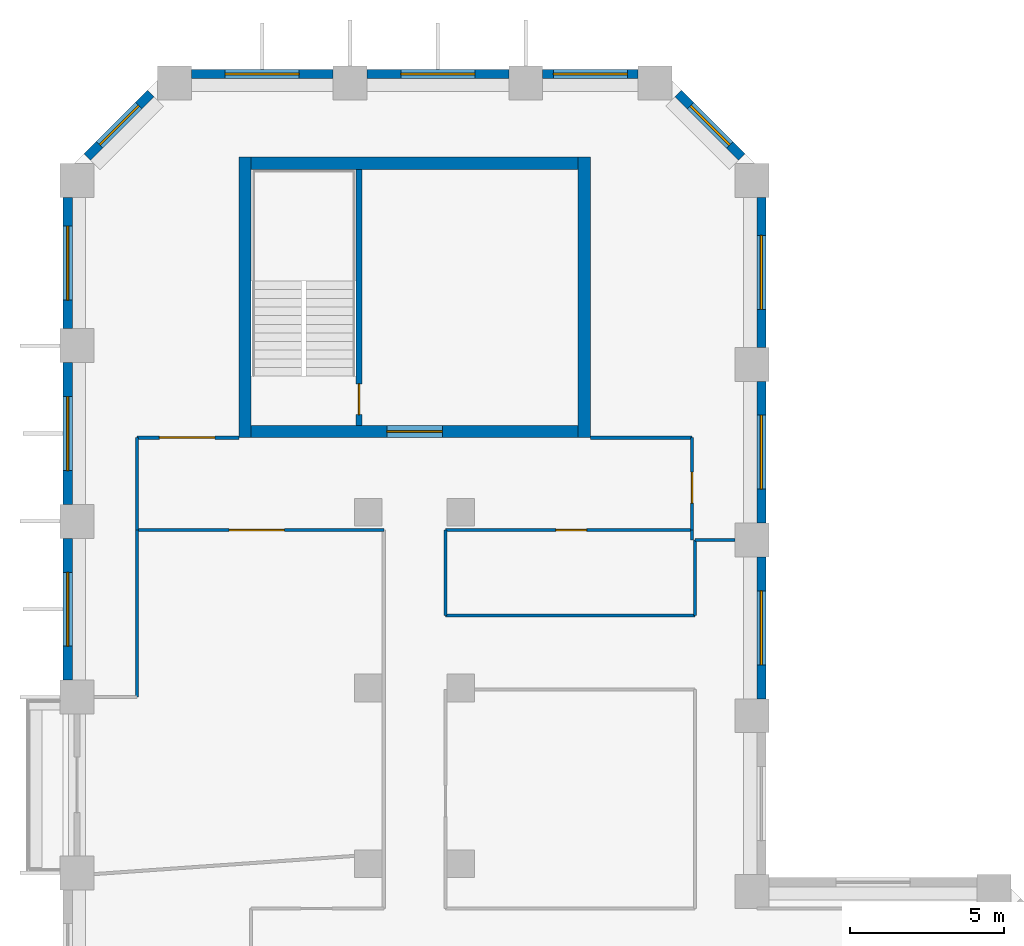
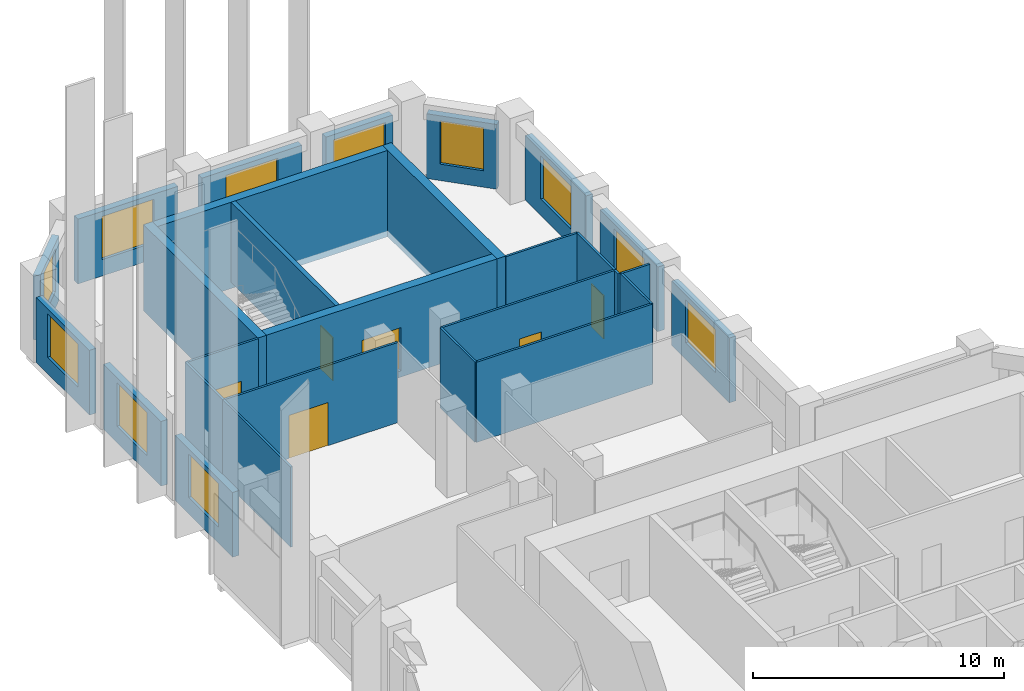
# One storey, part 8 of 10: 28 walls, 11 windows, 6 doors, 17 openings.
"""IFC4 building model written with IfcOpenShell, lengths in metres."""

from ifc_helpers import new_model, si_unit, direction, frame, frame_2d, origin, place, context, subcontext, project, spatial, rectangle, extrude, material, layer, layer_set, type_object, element, fill, save


model = new_model("IFC4")

# Units and contexts
model_context = context("Model", 3, precision=1e-05, world=origin(), true_north=direction((0.0, 1.0)))
body_context = subcontext(model_context, "Body", "Model", "MODEL_VIEW")
ifc_project = project(units=[si_unit("LENGTHUNIT", "METRE"), si_unit("AREAUNIT", "SQUARE_METRE"), si_unit("VOLUMEUNIT", "CUBIC_METRE"), si_unit("PLANEANGLEUNIT", "RADIAN"), si_unit("MASSUNIT", "GRAM", prefix="KILO")], contexts=[model_context])

# Site, building, storey
site_placement = place(None, origin())
site = spatial("IfcSite", under=ifc_project, at=site_placement, CompositionType="ELEMENT")
building_placement = place(site_placement, origin())
building = spatial("IfcBuilding", under=site, at=building_placement, Name="Meshkara Civic Tower", CompositionType="ELEMENT")
storey_placement = place(building_placement, frame((0.0, 0.0, 242.39990234375)))
storey = spatial("IfcBuildingStorey", under=building, at=storey_placement, Name="L55", CompositionType="ELEMENT", Elevation=242.39990234375)

# Wall, opening, door
ifc_material_1 = material(Name="Corridor wall 100")
ifc_layer_1 = layer(ifc_material_1, 0.10009765625)
ifc_layer_set_1 = layer_set([ifc_layer_1], Name="Corridor wall 100")
wall_type_1 = type_object("IfcWallType", Name="Corridor wall 100", PredefinedType="PARTITIONING", material=ifc_layer_set_1)
wall_1_placement = place(storey_placement, frame((2.39990234375, 51.169921875, 0.0), z_axis=(0.0, 0.0, 1.0), x_axis=(1.0, 0.0, 0.0)))
wall_1 = element("IfcWall", 1, at=wall_1_placement, inside=storey, type_object=wall_type_1, Name="L55-W001", PredefinedType="PARTITIONING", context=body_context, shape_type="SweptSolid", body=[
    extrude(rectangle(XDim=8.0, YDim=0.10009765625, at=frame_2d((4.0, 0.0))), origin(), (0.0, 0.0, 1.0), 3.900146484375),
])
opening_1_placement = place(wall_1_placement, frame((2.97998046875, 0.0, 0.0)))
opening_1 = element("IfcOpeningElement", 2, at=opening_1_placement, cuts=wall_1, Name="Opening L55-D019", PredefinedType="OPENING", context=body_context, shape_type="SweptSolid", body=[
    extrude(rectangle(XDim=1.800048828125, YDim=2.10009765625, at=frame_2d((0.89990234375, 1.050048828125))), frame((0.0, 0.06005859375, 0.0), z_axis=(0.0, -1.0, 0.0), x_axis=(1.0, 0.0, 0.0)), (0.0, 0.0, 1.0), 0.1201171875),
])
ifc_material_2 = material(Name="Door pair 1800 x 2100")
door_type_1 = type_object("IfcDoorType", Name="Door pair 1800 x 2100", OperationType="SINGLE_SWING_LEFT", PredefinedType="DOOR", material=ifc_material_2)
door_1_placement = place(opening_1_placement, origin())
door_1 = element("IfcDoor", 3, at=door_1_placement, inside=storey, type_object=door_type_1, Name="L55-D019", OperationType="DOUBLE_DOOR_SINGLE_SWING", OverallHeight=2.10009765625, OverallWidth=1.800048828125, PredefinedType="DOOR", context=body_context, shape_type="SweptSolid", body=[
    extrude(rectangle(XDim=1.800048828125, YDim=2.10009765625, at=frame_2d((0.89990234375, 1.050048828125))), frame((0.0, 0.02490234375, 0.0), z_axis=(0.0, -1.0, 0.0), x_axis=(1.0, 0.0, 0.0)), (0.0, 0.0, 1.0), 0.050048828125),
])
fill(opening_1, door_1)

# Wall
wall_2_placement = place(storey_placement, frame((2.39990234375, 54.169921875, 0.0), z_axis=(0.0, 0.0, 1.0), x_axis=(0.0, -1.0, 0.0)))
element("IfcWall", 4, at=wall_2_placement, inside=storey, type_object=wall_type_1, Name="L55-W002", PredefinedType="PARTITIONING", context=body_context, shape_type="SweptSolid", body=[
    extrude(rectangle(XDim=3.0, YDim=0.10009765625, at=frame_2d((1.5, 0.0))), origin(), (0.0, 0.0, 1.0), 3.900146484375),
])

# Wall, opening, door
wall_3_placement = place(storey_placement, frame((5.699951171875, 54.169921875, 0.0), z_axis=(0.0, 0.0, 1.0), x_axis=(-1.0, 0.0, 0.0)))
wall_3 = element("IfcWall", 5, at=wall_3_placement, inside=storey, type_object=wall_type_1, Name="L55-W003", PredefinedType="PARTITIONING", context=body_context, shape_type="SweptSolid", body=[
    extrude(rectangle(XDim=3.300048828125, YDim=0.10009765625, at=frame_2d((1.64990234375, 0.0))), origin(), (0.0, 0.0, 1.0), 3.900146484375),
])
opening_2_placement = place(wall_3_placement, frame((0.780029296875, 0.0, 0.0)))
opening_2 = element("IfcOpeningElement", 6, at=opening_2_placement, cuts=wall_3, Name="Opening L55-D022", PredefinedType="OPENING", context=body_context, shape_type="SweptSolid", body=[
    extrude(rectangle(XDim=1.800048828125, YDim=2.10009765625, at=frame_2d((0.89990234375, 1.050048828125))), frame((0.0, 0.06005859375, 0.0), z_axis=(0.0, -1.0, 0.0), x_axis=(1.0, 0.0, 0.0)), (0.0, 0.0, 1.0), 0.1201171875),
])
door_2_placement = place(opening_2_placement, origin())
door_2 = element("IfcDoor", 7, at=door_2_placement, inside=storey, type_object=door_type_1, Name="L55-D022", OperationType="DOUBLE_DOOR_SINGLE_SWING", OverallHeight=2.10009765625, OverallWidth=1.800048828125, PredefinedType="DOOR", context=body_context, shape_type="SweptSolid", body=[
    extrude(rectangle(XDim=1.800048828125, YDim=2.10009765625, at=frame_2d((0.89990234375, 1.050048828125))), frame((0.0, 0.02490234375, 0.0), z_axis=(0.0, -1.0, 0.0), x_axis=(1.0, 0.0, 0.0)), (0.0, 0.0, 1.0), 0.050048828125),
])
fill(opening_2, door_2)

# Wall
wall_4_placement = place(storey_placement, frame((12.39990234375, 48.39990234375, 0.0), z_axis=(0.0, 0.0, 1.0), x_axis=(0.0, 1.0, 0.0)))
element("IfcWall", 8, at=wall_4_placement, inside=storey, type_object=wall_type_1, Name="L55-W014", PredefinedType="PARTITIONING", context=body_context, shape_type="SweptSolid", body=[
    extrude(rectangle(XDim=2.77001953125, YDim=0.10009765625, at=frame_2d((1.385009765625, 0.0))), origin(), (0.0, 0.0, 1.0), 3.900146484375),
])

# Wall, opening, door
wall_5_placement = place(storey_placement, frame((12.39990234375, 51.169921875, 0.0), z_axis=(0.0, 0.0, 1.0), x_axis=(1.0, 0.0, 0.0)))
wall_5 = element("IfcWall", 9, at=wall_5_placement, inside=storey, type_object=wall_type_1, Name="L55-W015", PredefinedType="PARTITIONING", context=body_context, shape_type="SweptSolid", body=[
    extrude(rectangle(XDim=8.0, YDim=0.10009765625, at=frame_2d((4.0, 0.0))), origin(), (0.0, 0.0, 1.0), 3.900146484375),
])
opening_3_placement = place(wall_5_placement, frame((3.580078125, 0.0, 0.0)))
opening_3 = element("IfcOpeningElement", 10, at=opening_3_placement, cuts=wall_5, Name="Opening L55-D020", PredefinedType="OPENING", context=body_context, shape_type="SweptSolid", body=[
    extrude(rectangle(XDim=1.0, YDim=2.10009765625, at=frame_2d((0.5, 1.050048828125))), frame((0.0, 0.06005859375, 0.0), z_axis=(0.0, -1.0, 0.0), x_axis=(1.0, 0.0, 0.0)), (0.0, 0.0, 1.0), 0.1201171875),
])
ifc_material_3 = material(Name="Door 1000 x 2100")
door_type_2 = type_object("IfcDoorType", Name="Door 1000 x 2100", OperationType="SINGLE_SWING_LEFT", PredefinedType="DOOR", material=ifc_material_3)
door_3_placement = place(opening_3_placement, origin())
door_3 = element("IfcDoor", 11, at=door_3_placement, inside=storey, type_object=door_type_2, Name="L55-D020", OperationType="SINGLE_SWING_LEFT", OverallHeight=2.10009765625, OverallWidth=1.0, PredefinedType="DOOR", context=body_context, shape_type="SweptSolid", body=[
    extrude(rectangle(XDim=1.0, YDim=2.10009765625, at=frame_2d((0.5, 1.050048828125))), frame((0.0, 0.02490234375, 0.0), z_axis=(0.0, -1.0, 0.0), x_axis=(1.0, 0.0, 0.0)), (0.0, 0.0, 1.0), 0.050048828125),
])
fill(opening_3, door_3)

wall_6_placement = place(storey_placement, frame((20.39990234375, 51.169921875, 0.0), z_axis=(0.0, 0.0, 1.0), x_axis=(0.0, 1.0, 0.0)))
wall_6 = element("IfcWall", 12, at=wall_6_placement, inside=storey, type_object=wall_type_1, Name="L55-W018", PredefinedType="PARTITIONING", context=body_context, shape_type="SweptSolid", body=[
    extrude(rectangle(XDim=3.0, YDim=0.10009765625, at=frame_2d((1.5, 0.0))), origin(), (0.0, 0.0, 1.0), 3.900146484375),
])
opening_4_placement = place(wall_6_placement, frame((0.8798828125, 0.0, 0.0)))
opening_4 = element("IfcOpeningElement", 13, at=opening_4_placement, cuts=wall_6, Name="Opening L55-D021", PredefinedType="OPENING", context=body_context, shape_type="SweptSolid", body=[
    extrude(rectangle(XDim=1.0, YDim=2.10009765625, at=frame_2d((0.5, 1.050048828125))), frame((0.0, 0.06005859375, 0.0), z_axis=(0.0, -1.0, 0.0), x_axis=(1.0, 0.0, 0.0)), (0.0, 0.0, 1.0), 0.1201171875),
])
door_4_placement = place(opening_4_placement, origin())
door_4 = element("IfcDoor", 14, at=door_4_placement, inside=storey, type_object=door_type_2, Name="L55-D021", OperationType="SINGLE_SWING_RIGHT", OverallHeight=2.10009765625, OverallWidth=1.0, PredefinedType="DOOR", context=body_context, shape_type="SweptSolid", body=[
    extrude(rectangle(XDim=1.0, YDim=2.10009765625, at=frame_2d((0.5, 1.050048828125))), frame((0.0, 0.02490234375, 0.0), z_axis=(0.0, -1.0, 0.0), x_axis=(1.0, 0.0, 0.0)), (0.0, 0.0, 1.0), 0.050048828125),
])
fill(opening_4, door_4)

# Walls
wall_7_placement = place(storey_placement, frame((20.39990234375, 54.169921875, 0.0), z_axis=(0.0, 0.0, 1.0), x_axis=(-1.0, 0.0, 0.0)))
element("IfcWall", 15, at=wall_7_placement, inside=storey, type_object=wall_type_1, Name="L55-W019", PredefinedType="PARTITIONING", context=body_context, shape_type="SweptSolid", body=[
    extrude(rectangle(XDim=3.2998046875, YDim=0.10009765625, at=frame_2d((1.64990234375, 0.0))), origin(), (0.0, 0.0, 1.0), 3.900146484375),
])
wall_8_placement = place(storey_placement, frame((20.5, 48.39990234375, 0.0), z_axis=(0.0, 0.0, 1.0), x_axis=(-1.0, 0.0, 0.0)))
element("IfcWall", 16, at=wall_8_placement, inside=storey, type_object=wall_type_1, Name="L55-W022", PredefinedType="PARTITIONING", context=body_context, shape_type="SweptSolid", body=[
    extrude(rectangle(XDim=8.10009765625, YDim=0.10009765625, at=frame_2d((4.050048828125, 0.0))), origin(), (0.0, 0.0, 1.0), 3.900146484375),
])
wall_9_placement = place(storey_placement, frame((20.5, 50.85009765625, 0.0), z_axis=(0.0, 0.0, 1.0), x_axis=(0.0, -1.0, 0.0)))
element("IfcWall", 17, at=wall_9_placement, inside=storey, type_object=wall_type_1, Name="L55-W023", PredefinedType="PARTITIONING", context=body_context, shape_type="SweptSolid", body=[
    extrude(rectangle(XDim=2.4501953125, YDim=0.10009765625, at=frame_2d((1.22509765625, 0.0))), origin(), (0.0, 0.0, 1.0), 3.900146484375),
])
wall_10_placement = place(storey_placement, frame((21.800048828125, 50.85009765625, 0.0), z_axis=(0.0, 0.0, 1.0), x_axis=(-1.0, 0.0, 0.0)))
element("IfcWall", 18, at=wall_10_placement, inside=storey, type_object=wall_type_1, Name="L55-W024", PredefinedType="PARTITIONING", context=body_context, shape_type="SweptSolid", body=[
    extrude(rectangle(XDim=1.300048828125, YDim=0.10009765625, at=frame_2d((0.64990234375, 0.0))), origin(), (0.0, 0.0, 1.0), 3.900146484375),
])

# Wall, opening, window
ifc_material_4 = material(Name="Insulated infill panel with bronze anodised aluminium cladding", Category="aluminium")
ifc_layer_2 = layer(ifc_material_4, 0.300048828125)
ifc_layer_set_2 = layer_set([ifc_layer_2], Name="EXTERNAL INFILL WALL 300")
wall_type_2 = type_object("IfcWallType", Name="EXTERNAL INFILL WALL 300", PredefinedType="SOLIDWALL", material=ifc_layer_set_2)
wall_11_placement = place(storey_placement, frame((22.64990234375, 45.699951171875, 0.0), z_axis=(0.0, 0.0, 1.0), x_axis=(0.0, 1.0, 0.0)))
wall_11 = element("IfcWall", 19, at=wall_11_placement, inside=storey, type_object=wall_type_2, Name="External wall", PredefinedType="SOLIDWALL", context=body_context, shape_type="SweptSolid", body=[
    extrude(rectangle(XDim=4.60009765625, YDim=0.300048828125, at=frame_2d((2.300048828125, 0.0))), origin(), (0.0, 0.0, 1.0), 3.150146484375),
])
opening_5_placement = place(wall_11_placement, frame((1.10009765625, 0.0, 0.800048828125)))
opening_5 = element("IfcOpeningElement", 20, at=opening_5_placement, cuts=wall_11, Name="Opening W7", PredefinedType="OPENING", context=body_context, shape_type="SweptSolid", body=[
    extrude(rectangle(XDim=2.39990234375, YDim=2.10009765625, at=frame_2d((1.199951171875, 1.050048828125))), frame((0.0, 0.159912109375, 0.0), z_axis=(0.0, -1.0, 0.0), x_axis=(1.0, 0.0, 0.0)), (0.0, 0.0, 1.0), 0.320068359375),
])
ifc_material_5 = material(Name="Tinted double glazing", Category="glass")
window_type_1 = type_object("IfcWindowType", Name="WINDOW 2400x2100", PartitioningType="DOUBLE_PANEL_VERTICAL", PredefinedType="WINDOW", material=ifc_material_5)
window_1_placement = place(opening_5_placement, origin())
window_1 = element("IfcWindow", 21, at=window_1_placement, inside=storey, type_object=window_type_1, Name="Window", OverallHeight=2.10009765625, OverallWidth=2.39990234375, PartitioningType="DOUBLE_PANEL_VERTICAL", PredefinedType="WINDOW", context=body_context, shape_type="SweptSolid", body=[
    extrude(rectangle(XDim=2.39990234375, YDim=2.10009765625, at=frame_2d((1.199951171875, 1.050048828125))), frame((0.0, 0.030029296875, 0.0), z_axis=(0.0, -1.0, 0.0), x_axis=(1.0, 0.0, 0.0)), (0.0, 0.0, 1.0), 0.06005859375),
])
fill(opening_5, window_1)

wall_12_placement = place(storey_placement, frame((22.64990234375, 51.39990234375, 0.0), z_axis=(0.0, 0.0, 1.0), x_axis=(0.0, 1.0, 0.0)))
wall_12 = element("IfcWall", 22, at=wall_12_placement, inside=storey, type_object=wall_type_2, Name="External wall", PredefinedType="SOLIDWALL", context=body_context, shape_type="SweptSolid", body=[
    extrude(rectangle(XDim=4.60009765625, YDim=0.300048828125, at=frame_2d((2.300048828125, 0.0))), origin(), (0.0, 0.0, 1.0), 3.150146484375),
])
opening_6_placement = place(wall_12_placement, frame((1.10009765625, 0.0, 0.800048828125)))
opening_6 = element("IfcOpeningElement", 23, at=opening_6_placement, cuts=wall_12, Name="Opening W7", PredefinedType="OPENING", context=body_context, shape_type="SweptSolid", body=[
    extrude(rectangle(XDim=2.39990234375, YDim=2.10009765625, at=frame_2d((1.199951171875, 1.050048828125))), frame((0.0, 0.159912109375, 0.0), z_axis=(0.0, -1.0, 0.0), x_axis=(1.0, 0.0, 0.0)), (0.0, 0.0, 1.0), 0.320068359375),
])
window_2_placement = place(opening_6_placement, origin())
window_2 = element("IfcWindow", 24, at=window_2_placement, inside=storey, type_object=window_type_1, Name="Window", OverallHeight=2.10009765625, OverallWidth=2.39990234375, PartitioningType="DOUBLE_PANEL_VERTICAL", PredefinedType="WINDOW", context=body_context, shape_type="SweptSolid", body=[
    extrude(rectangle(XDim=2.39990234375, YDim=2.10009765625, at=frame_2d((1.199951171875, 1.050048828125))), frame((0.0, 0.030029296875, 0.0), z_axis=(0.0, -1.0, 0.0), x_axis=(1.0, 0.0, 0.0)), (0.0, 0.0, 1.0), 0.06005859375),
])
fill(opening_6, window_2)

wall_13_placement = place(storey_placement, frame((22.64990234375, 57.10009765625, 0.0), z_axis=(0.0, 0.0, 1.0), x_axis=(0.0, 1.0, 0.0)))
wall_13 = element("IfcWall", 25, at=wall_13_placement, inside=storey, type_object=wall_type_2, Name="External wall", PredefinedType="SOLIDWALL", context=body_context, shape_type="SweptSolid", body=[
    extrude(rectangle(XDim=4.864013671875, YDim=0.300048828125, at=frame_2d((2.43212890625, 0.0))), origin(), (0.0, 0.0, 1.0), 3.150146484375),
])
opening_7_placement = place(wall_13_placement, frame((1.23193359375, 0.0, 0.800048828125)))
opening_7 = element("IfcOpeningElement", 26, at=opening_7_placement, cuts=wall_13, Name="Opening W7", PredefinedType="OPENING", context=body_context, shape_type="SweptSolid", body=[
    extrude(rectangle(XDim=2.39990234375, YDim=2.10009765625, at=frame_2d((1.199951171875, 1.050048828125))), frame((0.0, 0.159912109375, 0.0), z_axis=(0.0, -1.0, 0.0), x_axis=(1.0, 0.0, 0.0)), (0.0, 0.0, 1.0), 0.320068359375),
])
window_3_placement = place(opening_7_placement, origin())
window_3 = element("IfcWindow", 27, at=window_3_placement, inside=storey, type_object=window_type_1, Name="Window", OverallHeight=2.10009765625, OverallWidth=2.39990234375, PartitioningType="DOUBLE_PANEL_VERTICAL", PredefinedType="WINDOW", context=body_context, shape_type="SweptSolid", body=[
    extrude(rectangle(XDim=2.39990234375, YDim=2.10009765625, at=frame_2d((1.199951171875, 1.050048828125))), frame((0.0, 0.030029296875, 0.0), z_axis=(0.0, -1.0, 0.0), x_axis=(1.0, 0.0, 0.0)), (0.0, 0.0, 1.0), 0.06005859375),
])
fill(opening_7, window_3)

wall_14_placement = place(storey_placement, frame((22.011962890625, 63.27587890625, 0.0), z_axis=(0.0, 0.0, 1.0), x_axis=(-0.707064797706, 0.707148762175, 0.0)))
wall_14 = element("IfcWall", 28, at=wall_14_placement, inside=storey, type_object=wall_type_2, Name="External wall", PredefinedType="SOLIDWALL", context=body_context, shape_type="SweptSolid", body=[
    extrude(rectangle(XDim=2.90771484375, YDim=0.300048828125, at=frame_2d((1.453857421875, 0.0))), origin(), (0.0, 0.0, 1.0), 3.150146484375),
])
opening_8_placement = place(wall_14_placement, frame((0.553955078125, 0.0, 0.800048828125)))
opening_8 = element("IfcOpeningElement", 29, at=opening_8_placement, cuts=wall_14, Name="Opening W9", PredefinedType="OPENING", context=body_context, shape_type="SweptSolid", body=[
    extrude(rectangle(XDim=1.800048828125, YDim=2.10009765625, at=frame_2d((0.89990234375, 1.050048828125))), frame((0.0, 0.159912109375, 0.0), z_axis=(0.0, -1.0, 0.0), x_axis=(1.0, 0.0, 0.0)), (0.0, 0.0, 1.0), 0.320068359375),
])
ifc_material_6 = material(Name="Tinted double glazing", Category="glass")
window_type_2 = type_object("IfcWindowType", Name="WINDOW 1800x2100", PartitioningType="DOUBLE_PANEL_VERTICAL", PredefinedType="WINDOW", material=ifc_material_6)
window_4_placement = place(opening_8_placement, origin())
window_4 = element("IfcWindow", 30, at=window_4_placement, inside=storey, type_object=window_type_2, Name="Window", OverallHeight=2.10009765625, OverallWidth=1.800048828125, PartitioningType="DOUBLE_PANEL_VERTICAL", PredefinedType="WINDOW", context=body_context, shape_type="SweptSolid", body=[
    extrude(rectangle(XDim=1.800048828125, YDim=2.10009765625, at=frame_2d((0.89990234375, 1.050048828125))), frame((0.0, 0.030029296875, 0.0), z_axis=(0.0, -1.0, 0.0), x_axis=(1.0, 0.0, 0.0)), (0.0, 0.0, 1.0), 0.06005859375),
])
fill(opening_8, window_4)

wall_15_placement = place(storey_placement, frame((18.64404296875, 65.969970703125, 0.0), z_axis=(0.0, 0.0, 1.0), x_axis=(-1.0, 0.0, 0.0)))
wall_15 = element("IfcWall", 31, at=wall_15_placement, inside=storey, type_object=wall_type_2, Name="External wall", PredefinedType="SOLIDWALL", context=body_context, shape_type="SweptSolid", body=[
    extrude(rectangle(XDim=3.088134765625, YDim=0.300048828125, at=frame_2d((1.5439453125, 0.0))), origin(), (0.0, 0.0, 1.0), 3.150146484375),
])
opening_9_placement = place(wall_15_placement, frame((0.343994140625, 0.0, 0.800048828125)))
opening_9 = element("IfcOpeningElement", 32, at=opening_9_placement, cuts=wall_15, Name="Opening W7", PredefinedType="OPENING", context=body_context, shape_type="SweptSolid", body=[
    extrude(rectangle(XDim=2.39990234375, YDim=2.10009765625, at=frame_2d((1.199951171875, 1.050048828125))), frame((0.0, 0.159912109375, 0.0), z_axis=(0.0, -1.0, 0.0), x_axis=(1.0, 0.0, 0.0)), (0.0, 0.0, 1.0), 0.320068359375),
])
window_5_placement = place(opening_9_placement, origin())
window_5 = element("IfcWindow", 33, at=window_5_placement, inside=storey, type_object=window_type_1, Name="Window", OverallHeight=2.10009765625, OverallWidth=2.39990234375, PartitioningType="DOUBLE_PANEL_VERTICAL", PredefinedType="WINDOW", context=body_context, shape_type="SweptSolid", body=[
    extrude(rectangle(XDim=2.39990234375, YDim=2.10009765625, at=frame_2d((1.199951171875, 1.050048828125))), frame((0.0, 0.030029296875, 0.0), z_axis=(0.0, -1.0, 0.0), x_axis=(1.0, 0.0, 0.0)), (0.0, 0.0, 1.0), 0.06005859375),
])
fill(opening_9, window_5)

wall_16_placement = place(storey_placement, frame((14.4560546875, 65.969970703125, 0.0), z_axis=(0.0, 0.0, 1.0), x_axis=(-1.0, 0.0, 0.0)))
wall_16 = element("IfcWall", 34, at=wall_16_placement, inside=storey, type_object=wall_type_2, Name="External wall", PredefinedType="SOLIDWALL", context=body_context, shape_type="SweptSolid", body=[
    extrude(rectangle(XDim=4.60009765625, YDim=0.300048828125, at=frame_2d((2.300048828125, 0.0))), origin(), (0.0, 0.0, 1.0), 3.150146484375),
])
opening_10_placement = place(wall_16_placement, frame((1.10009765625, 0.0, 0.800048828125)))
opening_10 = element("IfcOpeningElement", 35, at=opening_10_placement, cuts=wall_16, Name="Opening W7", PredefinedType="OPENING", context=body_context, shape_type="SweptSolid", body=[
    extrude(rectangle(XDim=2.39990234375, YDim=2.10009765625, at=frame_2d((1.199951171875, 1.050048828125))), frame((0.0, 0.159912109375, 0.0), z_axis=(0.0, -1.0, 0.0), x_axis=(1.0, 0.0, 0.0)), (0.0, 0.0, 1.0), 0.320068359375),
])
window_6_placement = place(opening_10_placement, origin())
window_6 = element("IfcWindow", 36, at=window_6_placement, inside=storey, type_object=window_type_1, Name="Window", OverallHeight=2.10009765625, OverallWidth=2.39990234375, PartitioningType="DOUBLE_PANEL_VERTICAL", PredefinedType="WINDOW", context=body_context, shape_type="SweptSolid", body=[
    extrude(rectangle(XDim=2.39990234375, YDim=2.10009765625, at=frame_2d((1.199951171875, 1.050048828125))), frame((0.0, 0.030029296875, 0.0), z_axis=(0.0, -1.0, 0.0), x_axis=(1.0, 0.0, 0.0)), (0.0, 0.0, 1.0), 0.06005859375),
])
fill(opening_10, window_6)

wall_17_placement = place(storey_placement, frame((8.756103515625, 65.969970703125, 0.0), z_axis=(0.0, 0.0, 1.0), x_axis=(-1.0, 0.0, 0.0)))
wall_17 = element("IfcWall", 37, at=wall_17_placement, inside=storey, type_object=wall_type_2, Name="External wall", PredefinedType="SOLIDWALL", context=body_context, shape_type="SweptSolid", body=[
    extrude(rectangle(XDim=4.60009765625, YDim=0.300048828125, at=frame_2d((2.300048828125, 0.0))), origin(), (0.0, 0.0, 1.0), 3.150146484375),
])
opening_11_placement = place(wall_17_placement, frame((1.10009765625, 0.0, 0.800048828125)))
opening_11 = element("IfcOpeningElement", 38, at=opening_11_placement, cuts=wall_17, Name="Opening W7", PredefinedType="OPENING", context=body_context, shape_type="SweptSolid", body=[
    extrude(rectangle(XDim=2.39990234375, YDim=2.10009765625, at=frame_2d((1.199951171875, 1.050048828125))), frame((0.0, 0.159912109375, 0.0), z_axis=(0.0, -1.0, 0.0), x_axis=(1.0, 0.0, 0.0)), (0.0, 0.0, 1.0), 0.320068359375),
])
window_7_placement = place(opening_11_placement, origin())
window_7 = element("IfcWindow", 39, at=window_7_placement, inside=storey, type_object=window_type_1, Name="Window", OverallHeight=2.10009765625, OverallWidth=2.39990234375, PartitioningType="DOUBLE_PANEL_VERTICAL", PredefinedType="WINDOW", context=body_context, shape_type="SweptSolid", body=[
    extrude(rectangle(XDim=2.39990234375, YDim=2.10009765625, at=frame_2d((1.199951171875, 1.050048828125))), frame((0.0, 0.030029296875, 0.0), z_axis=(0.0, -1.0, 0.0), x_axis=(1.0, 0.0, 0.0)), (0.0, 0.0, 1.0), 0.06005859375),
])
fill(opening_11, window_7)

wall_18_placement = place(storey_placement, frame((2.843994140625, 65.33203125, 0.0), z_axis=(0.0, 0.0, 1.0), x_axis=(-0.707064797706, -0.707148762175, 0.0)))
wall_18 = element("IfcWall", 40, at=wall_18_placement, inside=storey, type_object=wall_type_2, Name="External wall", PredefinedType="SOLIDWALL", context=body_context, shape_type="SweptSolid", body=[
    extrude(rectangle(XDim=2.90771484375, YDim=0.300048828125, at=frame_2d((1.453857421875, 0.0))), origin(), (0.0, 0.0, 1.0), 3.150146484375),
])
opening_12_placement = place(wall_18_placement, frame((0.553955078125, 0.0, 0.800048828125)))
opening_12 = element("IfcOpeningElement", 41, at=opening_12_placement, cuts=wall_18, Name="Opening W9", PredefinedType="OPENING", context=body_context, shape_type="SweptSolid", body=[
    extrude(rectangle(XDim=1.800048828125, YDim=2.10009765625, at=frame_2d((0.89990234375, 1.050048828125))), frame((0.0, 0.159912109375, 0.0), z_axis=(0.0, -1.0, 0.0), x_axis=(1.0, 0.0, 0.0)), (0.0, 0.0, 1.0), 0.320068359375),
])
window_8_placement = place(opening_12_placement, origin())
window_8 = element("IfcWindow", 42, at=window_8_placement, inside=storey, type_object=window_type_2, Name="Window", OverallHeight=2.10009765625, OverallWidth=1.800048828125, PartitioningType="DOUBLE_PANEL_VERTICAL", PredefinedType="WINDOW", context=body_context, shape_type="SweptSolid", body=[
    extrude(rectangle(XDim=1.800048828125, YDim=2.10009765625, at=frame_2d((0.89990234375, 1.050048828125))), frame((0.0, 0.030029296875, 0.0), z_axis=(0.0, -1.0, 0.0), x_axis=(1.0, 0.0, 0.0)), (0.0, 0.0, 1.0), 0.06005859375),
])
fill(opening_12, window_8)

wall_19_placement = place(storey_placement, frame((0.14990234375, 61.964111328125, 0.0), z_axis=(0.0, 0.0, 1.0), x_axis=(0.0, -1.0, 0.0)))
wall_19 = element("IfcWall", 43, at=wall_19_placement, inside=storey, type_object=wall_type_2, Name="External wall", PredefinedType="SOLIDWALL", context=body_context, shape_type="SweptSolid", body=[
    extrude(rectangle(XDim=4.259033203125, YDim=0.300048828125, at=frame_2d((2.12939453125, 0.0))), origin(), (0.0, 0.0, 1.0), 3.150146484375),
])
opening_13_placement = place(wall_19_placement, frame((0.929931640625, 0.0, 0.800048828125)))
opening_13 = element("IfcOpeningElement", 44, at=opening_13_placement, cuts=wall_19, Name="Opening W7", PredefinedType="OPENING", context=body_context, shape_type="SweptSolid", body=[
    extrude(rectangle(XDim=2.39990234375, YDim=2.10009765625, at=frame_2d((1.199951171875, 1.050048828125))), frame((0.0, 0.159912109375, 0.0), z_axis=(0.0, -1.0, 0.0), x_axis=(1.0, 0.0, 0.0)), (0.0, 0.0, 1.0), 0.320068359375),
])
window_9_placement = place(opening_13_placement, origin())
window_9 = element("IfcWindow", 45, at=window_9_placement, inside=storey, type_object=window_type_1, Name="Window", OverallHeight=2.10009765625, OverallWidth=2.39990234375, PartitioningType="DOUBLE_PANEL_VERTICAL", PredefinedType="WINDOW", context=body_context, shape_type="SweptSolid", body=[
    extrude(rectangle(XDim=2.39990234375, YDim=2.10009765625, at=frame_2d((1.199951171875, 1.050048828125))), frame((0.0, 0.030029296875, 0.0), z_axis=(0.0, -1.0, 0.0), x_axis=(1.0, 0.0, 0.0)), (0.0, 0.0, 1.0), 0.06005859375),
])
fill(opening_13, window_9)

wall_20_placement = place(storey_placement, frame((0.14990234375, 56.60498046875, 0.0), z_axis=(0.0, 0.0, 1.0), x_axis=(0.0, -1.0, 0.0)))
wall_20 = element("IfcWall", 46, at=wall_20_placement, inside=storey, type_object=wall_type_2, Name="External wall", PredefinedType="SOLIDWALL", context=body_context, shape_type="SweptSolid", body=[
    extrude(rectangle(XDim=4.60009765625, YDim=0.300048828125, at=frame_2d((2.300048828125, 0.0))), origin(), (0.0, 0.0, 1.0), 3.150146484375),
])
opening_14_placement = place(wall_20_placement, frame((1.10009765625, 0.0, 0.800048828125)))
opening_14 = element("IfcOpeningElement", 47, at=opening_14_placement, cuts=wall_20, Name="Opening W7", PredefinedType="OPENING", context=body_context, shape_type="SweptSolid", body=[
    extrude(rectangle(XDim=2.39990234375, YDim=2.10009765625, at=frame_2d((1.199951171875, 1.050048828125))), frame((0.0, 0.159912109375, 0.0), z_axis=(0.0, -1.0, 0.0), x_axis=(1.0, 0.0, 0.0)), (0.0, 0.0, 1.0), 0.320068359375),
])
window_10_placement = place(opening_14_placement, origin())
window_10 = element("IfcWindow", 48, at=window_10_placement, inside=storey, type_object=window_type_1, Name="Window", OverallHeight=2.10009765625, OverallWidth=2.39990234375, PartitioningType="DOUBLE_PANEL_VERTICAL", PredefinedType="WINDOW", context=body_context, shape_type="SweptSolid", body=[
    extrude(rectangle(XDim=2.39990234375, YDim=2.10009765625, at=frame_2d((1.199951171875, 1.050048828125))), frame((0.0, 0.030029296875, 0.0), z_axis=(0.0, -1.0, 0.0), x_axis=(1.0, 0.0, 0.0)), (0.0, 0.0, 1.0), 0.06005859375),
])
fill(opening_14, window_10)

wall_21_placement = place(storey_placement, frame((0.14990234375, 50.905029296875, 0.0), z_axis=(0.0, 0.0, 1.0), x_axis=(0.0, -1.0, 0.0)))
wall_21 = element("IfcWall", 49, at=wall_21_placement, inside=storey, type_object=wall_type_2, Name="External wall", PredefinedType="SOLIDWALL", context=body_context, shape_type="SweptSolid", body=[
    extrude(rectangle(XDim=4.60009765625, YDim=0.300048828125, at=frame_2d((2.300048828125, 0.0))), origin(), (0.0, 0.0, 1.0), 3.150146484375),
])
opening_15_placement = place(wall_21_placement, frame((1.10009765625, 0.0, 0.800048828125)))
opening_15 = element("IfcOpeningElement", 50, at=opening_15_placement, cuts=wall_21, Name="Opening W7", PredefinedType="OPENING", context=body_context, shape_type="SweptSolid", body=[
    extrude(rectangle(XDim=2.39990234375, YDim=2.10009765625, at=frame_2d((1.199951171875, 1.050048828125))), frame((0.0, 0.159912109375, 0.0), z_axis=(0.0, -1.0, 0.0), x_axis=(1.0, 0.0, 0.0)), (0.0, 0.0, 1.0), 0.320068359375),
])
window_11_placement = place(opening_15_placement, origin())
window_11 = element("IfcWindow", 51, at=window_11_placement, inside=storey, type_object=window_type_1, Name="Window", OverallHeight=2.10009765625, OverallWidth=2.39990234375, PartitioningType="DOUBLE_PANEL_VERTICAL", PredefinedType="WINDOW", context=body_context, shape_type="SweptSolid", body=[
    extrude(rectangle(XDim=2.39990234375, YDim=2.10009765625, at=frame_2d((1.199951171875, 1.050048828125))), frame((0.0, 0.030029296875, 0.0), z_axis=(0.0, -1.0, 0.0), x_axis=(1.0, 0.0, 0.0)), (0.0, 0.0, 1.0), 0.06005859375),
])
fill(opening_15, window_11)

# Walls
ifc_material_7 = material(Name="Concrete C60", Category="concrete")
ifc_layer_3 = layer(ifc_material_7, 0.39990234375)
ifc_layer_set_3 = layer_set([ifc_layer_3], Name="End core ring wall 400 C60")
wall_type_3 = type_object("IfcWallType", Name="End core ring wall 400 C60", PredefinedType="SHEAR", material=ifc_layer_set_3)
for number, where, z_axis, x_axis, name in (
    (52, (5.89990234375, 54.169921875, -0.2998046875), (0.0, 0.0, 1.0), (0.0, 1.0, 0.0), "L55-C023"),
    (53, (16.89990234375, 54.169921875, -0.2998046875), (0.0, 0.0, 1.0), (0.0, 1.0, 0.0), "L55-C024"),
):
    element("IfcWall", number, at=place(storey_placement, frame(where, z_axis=z_axis, x_axis=x_axis)), inside=storey, type_object=wall_type_3, Name=name, PredefinedType="SHEAR", context=body_context, shape_type="SweptSolid", body=[
        extrude(rectangle(XDim=9.10009765625, YDim=0.39990234375, at=frame_2d((4.550048828125, 0.0))), origin(), (0.0, 0.0, 1.0), 4.199951171875),
    ])

# Wall, opening, door
wall_22_placement = place(storey_placement, frame((6.10009765625, 54.3701171875, -0.2998046875), z_axis=(0.0, 0.0, 1.0), x_axis=(1.0, 0.0, 0.0)))
wall_22 = element("IfcWall", 54, at=wall_22_placement, inside=storey, type_object=wall_type_3, Name="L55-C025", PredefinedType="SHEAR", context=body_context, shape_type="SweptSolid", body=[
    extrude(rectangle(XDim=10.599853515625, YDim=0.39990234375, at=frame_2d((5.2998046875, 0.0))), origin(), (0.0, 0.0, 1.0), 4.199951171875),
])
opening_16_placement = place(wall_22_placement, frame((4.39990234375, 0.0, 0.300048828125)))
opening_16 = element("IfcOpeningElement", 55, at=opening_16_placement, cuts=wall_22, Name="Opening L55-K102", PredefinedType="OPENING", context=body_context, shape_type="SweptSolid", body=[
    extrude(rectangle(XDim=1.800048828125, YDim=2.10009765625, at=frame_2d((0.89990234375, 1.050048828125))), frame((0.0, 0.2099609375, 0.0), z_axis=(0.0, -1.0, 0.0), x_axis=(1.0, 0.0, 0.0)), (0.0, 0.0, 1.0), 0.419921875),
])
ifc_material_8 = material(Name="Fire-rated door leaf in steel frame", Category="steel")
door_type_3 = type_object("IfcDoorType", Name="Core double door 1800 EI 60", OperationType="DOUBLE_DOOR_SINGLE_SWING", PredefinedType="DOOR", material=ifc_material_8)
door_5_placement = place(opening_16_placement, origin())
door_5 = element("IfcDoor", 56, at=door_5_placement, inside=storey, type_object=door_type_3, Name="L55-K102", OperationType="DOUBLE_DOOR_SINGLE_SWING", OverallHeight=2.10009765625, OverallWidth=1.800048828125, PredefinedType="DOOR", context=body_context, shape_type="SweptSolid", body=[
    extrude(rectangle(XDim=1.800048828125, YDim=2.10009765625, at=frame_2d((0.89990234375, 1.050048828125))), frame((0.0, 0.02490234375, 0.0), z_axis=(0.0, -1.0, 0.0), x_axis=(1.0, 0.0, 0.0)), (0.0, 0.0, 1.0), 0.050048828125),
])
fill(opening_16, door_5)

# Walls
wall_23_placement = place(storey_placement, frame((6.10009765625, 63.070068359375, -0.2998046875), z_axis=(0.0, 0.0, 1.0), x_axis=(1.0, 0.0, 0.0)))
element("IfcWall", 57, at=wall_23_placement, inside=storey, type_object=wall_type_3, Name="L55-C026", PredefinedType="SHEAR", context=body_context, shape_type="SweptSolid", body=[
    extrude(rectangle(XDim=10.599853515625, YDim=0.39990234375, at=frame_2d((5.2998046875, 0.0))), origin(), (0.0, 0.0, 1.0), 4.199951171875),
])
ifc_material_9 = material(Name="Partition 100")
ifc_layer_4 = layer(ifc_material_9, 0.10009765625)
ifc_layer_set_4 = layer_set([ifc_layer_4], Name="Partition 100")
wall_type_4 = type_object("IfcWallType", Name="Partition 100", PredefinedType="PARTITIONING", material=ifc_layer_set_4)
wall_24_placement = place(storey_placement, frame((2.39990234375, 51.174072265625, 0.0), z_axis=(0.0, 0.0, 1.0), x_axis=(0.0, -1.0, 0.0)))
element("IfcWall", 58, at=wall_24_placement, inside=storey, type_object=wall_type_4, Name="L55-W039", PredefinedType="PARTITIONING", context=body_context, shape_type="SweptSolid", body=[
    extrude(rectangle(XDim=5.419189453125, YDim=0.10009765625, at=frame_2d((2.70947265625, 0.0))), origin(), (0.0, 0.0, 1.0), 3.900146484375),
])
wall_25_placement = place(storey_placement, frame((20.39990234375, 50.85009765625, 0.0), z_axis=(0.0, 0.0, 1.0), x_axis=(0.0, 1.0, 0.0)))
element("IfcWall", 59, at=wall_25_placement, inside=storey, type_object=wall_type_4, Name="L55-W048", PredefinedType="PARTITIONING", context=body_context, shape_type="SweptSolid", body=[
    extrude(rectangle(XDim=0.323974609375, YDim=0.10009765625, at=frame_2d((0.162109375, 0.0))), origin(), (0.0, 0.0, 1.0), 3.900146484375),
])

# Wall, opening, door
ifc_material_10 = material(Name="Concrete C40/50", Category="concrete")
ifc_layer_5 = layer(ifc_material_10, 0.199951171875)
ifc_layer_set_5 = layer_set([ifc_layer_5], Name="Stair enclosure wall 200 C40/50")
wall_type_5 = type_object("IfcWallType", Name="Stair enclosure wall 200 C40/50", PredefinedType="SOLIDWALL", material=ifc_layer_set_5)
wall_26_placement = place(storey_placement, frame((9.60009765625, 54.570068359375, 0.0), z_axis=(0.0, 0.0, 1.0), x_axis=(0.0, 1.0, 0.0)))
wall_26 = element("IfcWall", 60, at=wall_26_placement, inside=storey, type_object=wall_type_5, Name="L55-C027", PredefinedType="SOLIDWALL", context=body_context, shape_type="SweptSolid", body=[
    extrude(rectangle(XDim=8.300048828125, YDim=0.199951171875, at=frame_2d((4.14990234375, 0.0))), origin(), (0.0, 0.0, 1.0), 3.900146484375),
])
opening_17_placement = place(wall_26_placement, frame((0.35009765625, 0.0, 0.0)))
opening_17 = element("IfcOpeningElement", 61, at=opening_17_placement, cuts=wall_26, Name="Opening L55-K101", PredefinedType="OPENING", context=body_context, shape_type="SweptSolid", body=[
    extrude(rectangle(XDim=1.0, YDim=2.10009765625, at=frame_2d((0.5, 1.050048828125))), frame((0.0, 0.10986328125, 0.0), z_axis=(0.0, -1.0, 0.0), x_axis=(1.0, 0.0, 0.0)), (0.0, 0.0, 1.0), 0.219970703125),
])
ifc_material_11 = material(Name="Fire-rated door leaf in steel frame", Category="steel")
door_type_4 = type_object("IfcDoorType", Name="Stair door 1000 EI 120", OperationType="SINGLE_SWING_LEFT", PredefinedType="DOOR", material=ifc_material_11)
door_6_placement = place(opening_17_placement, origin())
door_6 = element("IfcDoor", 62, at=door_6_placement, inside=storey, type_object=door_type_4, Name="L55-K101", OperationType="SINGLE_SWING_RIGHT", OverallHeight=2.10009765625, OverallWidth=1.0, PredefinedType="DOOR", context=body_context, shape_type="SweptSolid", body=[
    extrude(rectangle(XDim=1.0, YDim=2.10009765625, at=frame_2d((0.5, 1.050048828125))), frame((0.0, 0.02490234375, 0.0), z_axis=(0.0, -1.0, 0.0), x_axis=(1.0, 0.0, 0.0)), (0.0, 0.0, 1.0), 0.050048828125),
])
fill(opening_17, door_6)

save(model, "model.ifc")
